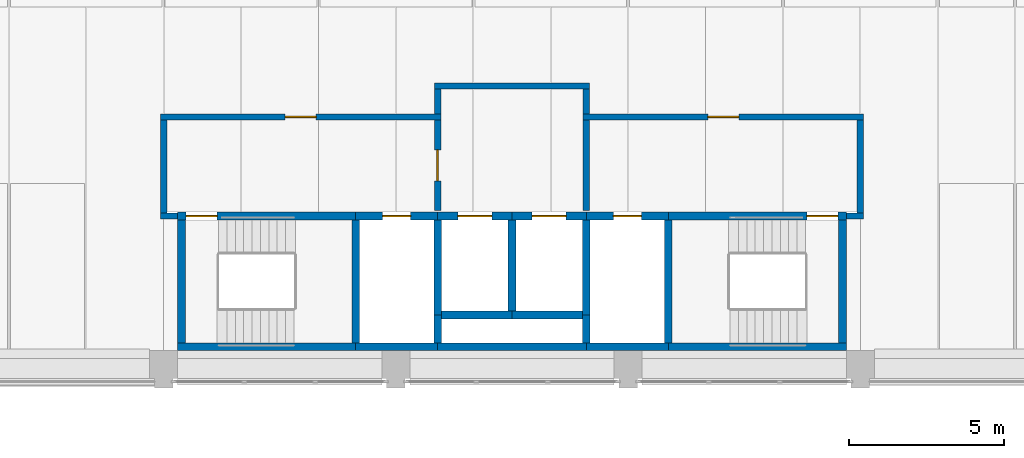
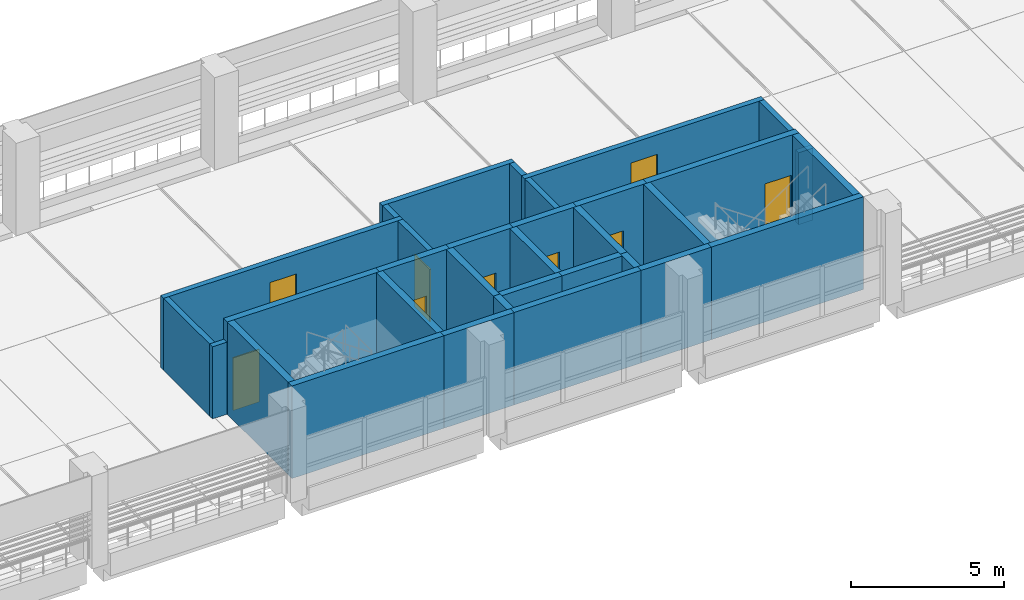
# One storey, part 30 of 57: 33 walls, 9 doors, 9 openings.
"""IFC4 building model written with IfcOpenShell, lengths in metres."""

from ifc_helpers import new_model, si_unit, direction, frame, frame_2d, origin, place, context, subcontext, project, spatial, rectangle, extrude, material, layer, layer_set, type_object, element, fill, save


model = new_model("IFC4")

# Units and contexts
model_context = context("Model", 3, precision=1e-05, world=origin(), true_north=direction((0.0, 1.0)))
body_context = subcontext(model_context, "Body", "Model", "MODEL_VIEW")
ifc_project = project(units=[si_unit("LENGTHUNIT", "METRE"), si_unit("AREAUNIT", "SQUARE_METRE"), si_unit("VOLUMEUNIT", "CUBIC_METRE"), si_unit("PLANEANGLEUNIT", "RADIAN"), si_unit("MASSUNIT", "GRAM", prefix="KILO")], contexts=[model_context])

# Site, building, storey
site_placement = place(None, origin())
site = spatial("IfcSite", under=ifc_project, at=site_placement, CompositionType="ELEMENT")
building_placement = place(site_placement, origin())
building = spatial("IfcBuilding", under=site, at=building_placement, Name="Cour d'Honneur Mobility Palace", CompositionType="ELEMENT")
storey_placement = place(building_placement, frame((0.0, 0.0, 8.199951171875)))
storey = spatial("IfcBuildingStorey", under=building, at=storey_placement, Name="L02", CompositionType="ELEMENT", Elevation=8.199951171875)

# Walls
ifc_material_1 = material(Name="Concrete C50", Category="concrete")
ifc_layer_1 = layer(ifc_material_1, 0.25)
ifc_layer_set_1 = layer_set([ifc_layer_1], Name="Concrete C50")
wall_type_1 = type_object("IfcWallType", Name="Lift shaft wall 250", PredefinedType="SHEAR", material=ifc_layer_set_1)
wall_1_placement = place(storey_placement, frame((78.875, 46.60009765625, 0.0), z_axis=(0.0, 0.0, 1.0), x_axis=(1.0, 0.0, 0.0)))
element("IfcWall", 1, at=wall_1_placement, inside=storey, type_object=wall_type_1, Name="Lift shaft wall WL-CC6 L02", PredefinedType="SHEAR", context=body_context, shape_type="SweptSolid", body=[
    extrude(rectangle(XDim=2.27490234375, YDim=0.25, at=frame_2d((1.137451171875, 0.0))), origin(), (0.0, 0.0, 1.0), 3.699951171875),
])
wall_2_placement = place(storey_placement, frame((81.14990234375, 46.60009765625, 0.0), z_axis=(0.0, 0.0, 1.0), x_axis=(1.0, 0.0, 0.0)))
element("IfcWall", 2, at=wall_2_placement, inside=storey, type_object=wall_type_1, Name="Lift shaft wall WL-CC7 L02", PredefinedType="SHEAR", context=body_context, shape_type="SweptSolid", body=[
    extrude(rectangle(XDim=2.275146484375, YDim=0.25, at=frame_2d((1.1376953125, 0.0))), origin(), (0.0, 0.0, 1.0), 3.699951171875),
])

# Wall, opening, door
wall_3_placement = place(storey_placement, frame((78.75, 49.800048828125, 0.0), z_axis=(0.0, 0.0, 1.0), x_axis=(1.0, 0.0, 0.0)))
wall_3 = element("IfcWall", 3, at=wall_3_placement, inside=storey, type_object=wall_type_1, Name="Lift shaft wall WL-CC10 L02", PredefinedType="SHEAR", context=body_context, shape_type="SweptSolid", body=[
    extrude(rectangle(XDim=2.39990234375, YDim=0.25, at=frame_2d((1.199951171875, 0.0))), origin(), (0.0, 0.0, 1.0), 3.699951171875),
])
opening_1_placement = place(wall_3_placement, frame((0.64990234375, 0.0, 0.0)))
opening_1 = element("IfcOpeningElement", 4, at=opening_1_placement, cuts=wall_3, Name="Opening LD43", PredefinedType="OPENING", context=body_context, shape_type="SweptSolid", body=[
    extrude(rectangle(XDim=1.10009765625, YDim=2.10009765625, at=frame_2d((0.550048828125, 1.050048828125))), frame((0.0, 0.135009765625, 0.0), z_axis=(0.0, -1.0, 0.0), x_axis=(1.0, 0.0, 0.0)), (0.0, 0.0, 1.0), 0.27001953125),
])
ifc_material_2 = material(Name="Stainless steel", Category="steel")
door_type_1 = type_object("IfcDoorType", Name="Landing door 1100 x 2100", OperationType="SLIDING_TO_LEFT", PredefinedType="DOOR", material=ifc_material_2)
door_1_placement = place(opening_1_placement, origin())
door_1 = element("IfcDoor", 5, at=door_1_placement, inside=storey, type_object=door_type_1, Name="Landing door LF-CC1 L02", OperationType="SLIDING_TO_LEFT", OverallHeight=2.10009765625, OverallWidth=1.10009765625, PredefinedType="DOOR", context=body_context, shape_type="SweptSolid", body=[
    extrude(rectangle(XDim=1.10009765625, YDim=2.10009765625, at=frame_2d((0.550048828125, 1.050048828125))), frame((0.0, 0.02490234375, 0.0), z_axis=(0.0, -1.0, 0.0), x_axis=(1.0, 0.0, 0.0)), (0.0, 0.0, 1.0), 0.050048828125),
])
fill(opening_1, door_1)

wall_4_placement = place(storey_placement, frame((81.14990234375, 49.800048828125, 0.0), z_axis=(0.0, 0.0, 1.0), x_axis=(1.0, 0.0, 0.0)))
wall_4 = element("IfcWall", 6, at=wall_4_placement, inside=storey, type_object=wall_type_1, Name="Lift shaft wall WL-CC11 L02", PredefinedType="SHEAR", context=body_context, shape_type="SweptSolid", body=[
    extrude(rectangle(XDim=2.400146484375, YDim=0.25, at=frame_2d((1.2001953125, 0.0))), origin(), (0.0, 0.0, 1.0), 3.699951171875),
])
opening_2_placement = place(wall_4_placement, frame((0.64990234375, 0.0, 0.0)))
opening_2 = element("IfcOpeningElement", 7, at=opening_2_placement, cuts=wall_4, Name="Opening LD49", PredefinedType="OPENING", context=body_context, shape_type="SweptSolid", body=[
    extrude(rectangle(XDim=1.10009765625, YDim=2.10009765625, at=frame_2d((0.550048828125, 1.050048828125))), frame((0.0, 0.135009765625, 0.0), z_axis=(0.0, -1.0, 0.0), x_axis=(1.0, 0.0, 0.0)), (0.0, 0.0, 1.0), 0.27001953125),
])
door_2_placement = place(opening_2_placement, origin())
door_2 = element("IfcDoor", 8, at=door_2_placement, inside=storey, type_object=door_type_1, Name="Landing door LF-CC2 L02", OperationType="SLIDING_TO_LEFT", OverallHeight=2.10009765625, OverallWidth=1.10009765625, PredefinedType="DOOR", context=body_context, shape_type="SweptSolid", body=[
    extrude(rectangle(XDim=1.10009765625, YDim=2.10009765625, at=frame_2d((0.550048828125, 1.050048828125))), frame((0.0, 0.02490234375, 0.0), z_axis=(0.0, -1.0, 0.0), x_axis=(1.0, 0.0, 0.0)), (0.0, 0.0, 1.0), 0.050048828125),
])
fill(opening_2, door_2)

# Walls
wall_5_placement = place(storey_placement, frame((78.75, 46.60009765625, 0.0), z_axis=(0.0, 0.0, 1.0), x_axis=(0.0, 1.0, 0.0)))
element("IfcWall", 9, at=wall_5_placement, inside=storey, type_object=wall_type_1, Name="Lift shaft wall WL-CC17 L02", PredefinedType="SHEAR", context=body_context, shape_type="SweptSolid", body=[
    extrude(rectangle(XDim=3.074951171875, YDim=0.25, at=frame_2d((1.53759765625, 0.0))), origin(), (0.0, 0.0, 1.0), 3.699951171875),
])
wall_6_placement = place(storey_placement, frame((81.14990234375, 46.72509765625, 0.0), z_axis=(0.0, 0.0, 1.0), x_axis=(0.0, 1.0, 0.0)))
element("IfcWall", 10, at=wall_6_placement, inside=storey, type_object=wall_type_1, Name="Lift shaft wall WL-CC18 L02", PredefinedType="SHEAR", context=body_context, shape_type="SweptSolid", body=[
    extrude(rectangle(XDim=2.949951171875, YDim=0.25, at=frame_2d((1.47509765625, 0.0))), origin(), (0.0, 0.0, 1.0), 3.699951171875),
])
wall_7_placement = place(storey_placement, frame((83.550048828125, 46.60009765625, 0.0), z_axis=(0.0, 0.0, 1.0), x_axis=(0.0, 1.0, 0.0)))
element("IfcWall", 11, at=wall_7_placement, inside=storey, type_object=wall_type_1, Name="Lift shaft wall WL-CC20 L02", PredefinedType="SHEAR", context=body_context, shape_type="SweptSolid", body=[
    extrude(rectangle(XDim=3.074951171875, YDim=0.25, at=frame_2d((1.53759765625, 0.0))), origin(), (0.0, 0.0, 1.0), 3.699951171875),
])
ifc_material_3 = material(Name="Gypsum plasterboard")
ifc_layer_2 = layer(ifc_material_3, 0.199951171875)
ifc_layer_set_2 = layer_set([ifc_layer_2], Name="Gypsum plasterboard")
wall_type_2 = type_object("IfcWallType", Name="Partition 200 rated EI 120", PredefinedType="PARTITIONING", material=ifc_layer_set_2)
for number, where, z_axis, x_axis, name in (
    (12, (69.800048828125, 49.800048828125, 0.0), (0.0, 0.0, 1.0), (1.0, 0.0, 0.0), "Partition 019"),
    (13, (91.949951171875, 49.800048828125, 0.0), (0.0, 0.0, 1.0), (1.0, 0.0, 0.0), "Partition 020"),
):
    element("IfcWall", number, at=place(storey_placement, frame(where, z_axis=z_axis, x_axis=x_axis)), inside=storey, type_object=wall_type_2, Name=name, PredefinedType="PARTITIONING", context=body_context, shape_type="SweptSolid", body=[
        extrude(rectangle(XDim=0.550048828125, YDim=0.199951171875, at=frame_2d((0.27490234375, 0.0))), origin(), (0.0, 0.0, 1.0), 2.880126953125),
    ])
wall_8_placement = place(storey_placement, frame((92.39990234375, 49.89990234375, 0.0), z_axis=(0.0, 0.0, 1.0), x_axis=(0.0, 1.0, 0.0)))
element("IfcWall", 14, at=wall_8_placement, inside=storey, type_object=wall_type_2, Name="Partition 021", PredefinedType="PARTITIONING", context=body_context, shape_type="SweptSolid", body=[
    extrude(rectangle(XDim=3.0, YDim=0.199951171875, at=frame_2d((1.5, 0.0))), origin(), (0.0, 0.0, 1.0), 2.880126953125),
])

# Wall, opening, door
wall_9_placement = place(storey_placement, frame((78.75, 49.97509765625, 0.0), z_axis=(0.0, 0.0, 1.0), x_axis=(0.0, 1.0, 0.0)))
wall_9 = element("IfcWall", 15, at=wall_9_placement, inside=storey, type_object=wall_type_2, Name="Partition 022", PredefinedType="PARTITIONING", context=body_context, shape_type="SweptSolid", body=[
    extrude(rectangle(XDim=2.9248046875, YDim=0.199951171875, at=frame_2d((1.46240234375, 0.0))), origin(), (0.0, 0.0, 1.0), 2.880126953125),
])
opening_3_placement = place(wall_9_placement, frame((0.96240234375, 0.0, 0.0)))
opening_3 = element("IfcOpeningElement", 16, at=opening_3_placement, cuts=wall_9, Name="Opening D0205", PredefinedType="OPENING", context=body_context, shape_type="SweptSolid", body=[
    extrude(rectangle(XDim=1.0, YDim=2.10009765625, at=frame_2d((0.5, 1.050048828125))), frame((0.0, 0.10986328125, 0.0), z_axis=(0.0, -1.0, 0.0), x_axis=(1.0, 0.0, 0.0)), (0.0, 0.0, 1.0), 0.219970703125),
])
ifc_material_4 = material(Name="Galvanised steel", Category="steel")
door_type_2 = type_object("IfcDoorType", Name="Fire door FD120 1000 x 2100", OperationType="SINGLE_SWING_LEFT", PredefinedType="DOOR", material=ifc_material_4)
door_3_placement = place(opening_3_placement, origin())
door_3 = element("IfcDoor", 17, at=door_3_placement, inside=storey, type_object=door_type_2, Name="Door Lift Lobby CC", OperationType="SINGLE_SWING_RIGHT", OverallHeight=2.10009765625, OverallWidth=1.0, PredefinedType="DOOR", context=body_context, shape_type="SweptSolid", body=[
    extrude(rectangle(XDim=1.0, YDim=2.10009765625, at=frame_2d((0.5, 1.050048828125))), frame((0.0, 0.02490234375, 0.0), z_axis=(0.0, -1.0, 0.0), x_axis=(1.0, 0.0, 0.0)), (0.0, 0.0, 1.0), 0.050048828125),
])
fill(opening_3, door_3)

# Walls
wall_10_placement = place(storey_placement, frame((83.550048828125, 49.97509765625, 0.0), z_axis=(0.0, 0.0, 1.0), x_axis=(0.0, 1.0, 0.0)))
element("IfcWall", 18, at=wall_10_placement, inside=storey, type_object=wall_type_2, Name="Partition 023", PredefinedType="PARTITIONING", context=body_context, shape_type="SweptSolid", body=[
    extrude(rectangle(XDim=2.9248046875, YDim=0.199951171875, at=frame_2d((1.46240234375, 0.0))), origin(), (0.0, 0.0, 1.0), 2.880126953125),
])
wall_11_placement = place(storey_placement, frame((69.89990234375, 52.89990234375, 0.0), z_axis=(0.0, 0.0, 1.0), x_axis=(0.0, -1.0, 0.0)))
element("IfcWall", 19, at=wall_11_placement, inside=storey, type_object=wall_type_2, Name="Partition 031", PredefinedType="PARTITIONING", context=body_context, shape_type="SweptSolid", body=[
    extrude(rectangle(XDim=3.0, YDim=0.199951171875, at=frame_2d((1.5, 0.0))), origin(), (0.0, 0.0, 1.0), 2.880126953125),
])

# Wall, opening, door
wall_12_placement = place(storey_placement, frame((78.85009765625, 53.0, 0.0), z_axis=(0.0, 0.0, 1.0), x_axis=(-1.0, 0.0, 0.0)))
wall_12 = element("IfcWall", 20, at=wall_12_placement, inside=storey, type_object=wall_type_2, Name="Partition 032", PredefinedType="PARTITIONING", context=body_context, shape_type="SweptSolid", body=[
    extrude(rectangle(XDim=9.050048828125, YDim=0.199951171875, at=frame_2d((4.52490234375, 0.0))), origin(), (0.0, 0.0, 1.0), 2.880126953125),
])
opening_4_placement = place(wall_12_placement, frame((4.02490234375, 0.0, 0.0)))
opening_4 = element("IfcOpeningElement", 21, at=opening_4_placement, cuts=wall_12, Name="Opening D0204", PredefinedType="OPENING", context=body_context, shape_type="SweptSolid", body=[
    extrude(rectangle(XDim=1.0, YDim=2.10009765625, at=frame_2d((0.5, 1.050048828125))), frame((0.0, 0.10986328125, 0.0), z_axis=(0.0, -1.0, 0.0), x_axis=(1.0, 0.0, 0.0)), (0.0, 0.0, 1.0), 0.219970703125),
])
door_4_placement = place(opening_4_placement, origin())
door_4 = element("IfcDoor", 22, at=door_4_placement, inside=storey, type_object=door_type_2, Name="Door Stair Lobby CC West", OperationType="SINGLE_SWING_LEFT", OverallHeight=2.10009765625, OverallWidth=1.0, PredefinedType="DOOR", context=body_context, shape_type="SweptSolid", body=[
    extrude(rectangle(XDim=1.0, YDim=2.10009765625, at=frame_2d((0.5, 1.050048828125))), frame((0.0, 0.02490234375, 0.0), z_axis=(0.0, -1.0, 0.0), x_axis=(1.0, 0.0, 0.0)), (0.0, 0.0, 1.0), 0.050048828125),
])
fill(opening_4, door_4)

# Wall
wall_13_placement = place(storey_placement, frame((83.550048828125, 53.10009765625, 0.0), z_axis=(0.0, 0.0, 1.0), x_axis=(0.0, 1.0, 0.0)))
element("IfcWall", 23, at=wall_13_placement, inside=storey, type_object=wall_type_2, Name="Partition 033", PredefinedType="PARTITIONING", context=body_context, shape_type="SweptSolid", body=[
    extrude(rectangle(XDim=0.7998046875, YDim=0.199951171875, at=frame_2d((0.39990234375, 0.0))), origin(), (0.0, 0.0, 1.0), 2.880126953125),
])

# Wall, opening, door
wall_14_placement = place(storey_placement, frame((92.5, 53.0, 0.0), z_axis=(0.0, 0.0, 1.0), x_axis=(-1.0, 0.0, 0.0)))
wall_14 = element("IfcWall", 24, at=wall_14_placement, inside=storey, type_object=wall_type_2, Name="Partition 034", PredefinedType="PARTITIONING", context=body_context, shape_type="SweptSolid", body=[
    extrude(rectangle(XDim=9.050048828125, YDim=0.199951171875, at=frame_2d((4.52490234375, 0.0))), origin(), (0.0, 0.0, 1.0), 2.880126953125),
])
opening_5_placement = place(wall_14_placement, frame((4.02490234375, 0.0, 0.0)))
opening_5 = element("IfcOpeningElement", 25, at=opening_5_placement, cuts=wall_14, Name="Opening D0206", PredefinedType="OPENING", context=body_context, shape_type="SweptSolid", body=[
    extrude(rectangle(XDim=1.0, YDim=2.10009765625, at=frame_2d((0.5, 1.050048828125))), frame((0.0, 0.10986328125, 0.0), z_axis=(0.0, -1.0, 0.0), x_axis=(1.0, 0.0, 0.0)), (0.0, 0.0, 1.0), 0.219970703125),
])
door_5_placement = place(opening_5_placement, origin())
door_5 = element("IfcDoor", 26, at=door_5_placement, inside=storey, type_object=door_type_2, Name="Door Stair Lobby CC East", OperationType="SINGLE_SWING_RIGHT", OverallHeight=2.10009765625, OverallWidth=1.0, PredefinedType="DOOR", context=body_context, shape_type="SweptSolid", body=[
    extrude(rectangle(XDim=1.0, YDim=2.10009765625, at=frame_2d((0.5, 1.050048828125))), frame((0.0, 0.02490234375, 0.0), z_axis=(0.0, -1.0, 0.0), x_axis=(1.0, 0.0, 0.0)), (0.0, 0.0, 1.0), 0.050048828125),
])
fill(opening_5, door_5)

# Walls
wall_15_placement = place(storey_placement, frame((78.75, 53.89990234375, 0.0), z_axis=(0.0, 0.0, 1.0), x_axis=(0.0, -1.0, 0.0)))
element("IfcWall", 27, at=wall_15_placement, inside=storey, type_object=wall_type_2, Name="Partition 035", PredefinedType="PARTITIONING", context=body_context, shape_type="SweptSolid", body=[
    extrude(rectangle(XDim=0.7998046875, YDim=0.199951171875, at=frame_2d((0.39990234375, 0.0))), origin(), (0.0, 0.0, 1.0), 2.880126953125),
])
wall_16_placement = place(storey_placement, frame((83.64990234375, 54.0, 0.0), z_axis=(0.0, 0.0, 1.0), x_axis=(-1.0, 0.0, 0.0)))
element("IfcWall", 28, at=wall_16_placement, inside=storey, type_object=wall_type_2, Name="Partition 036", PredefinedType="PARTITIONING", context=body_context, shape_type="SweptSolid", body=[
    extrude(rectangle(XDim=5.0, YDim=0.199951171875, at=frame_2d((2.5, 0.0))), origin(), (0.0, 0.0, 1.0), 2.880126953125),
])
ifc_material_5 = material(Name="Concrete C50", Category="concrete")
ifc_layer_3 = layer(ifc_material_5, 0.25)
ifc_layer_set_3 = layer_set([ifc_layer_3], Name="Concrete C50")
wall_type_3 = type_object("IfcWallType", Name="Shaft wall 250", PredefinedType="SHEAR", material=ifc_layer_set_3)
wall_17_placement = place(storey_placement, frame((76.10009765625, 45.574951171875, 0.0), z_axis=(0.0, 0.0, 1.0), x_axis=(1.0, 0.0, 0.0)))
element("IfcWall", 29, at=wall_17_placement, inside=storey, type_object=wall_type_3, Name="Shaft wall WR-CC2 L02", PredefinedType="SHEAR", context=body_context, shape_type="SweptSolid", body=[
    extrude(rectangle(XDim=2.64990234375, YDim=0.25, at=frame_2d((1.324951171875, 0.0))), origin(), (0.0, 0.0, 1.0), 3.699951171875),
])
wall_18_placement = place(storey_placement, frame((78.75, 45.574951171875, 0.0), z_axis=(0.0, 0.0, 1.0), x_axis=(1.0, 0.0, 0.0)))
element("IfcWall", 30, at=wall_18_placement, inside=storey, type_object=wall_type_3, Name="Shaft wall WR-CC3 L02", PredefinedType="SHEAR", context=body_context, shape_type="SweptSolid", body=[
    extrude(rectangle(XDim=4.800048828125, YDim=0.25, at=frame_2d((2.39990234375, 0.0))), origin(), (0.0, 0.0, 1.0), 3.699951171875),
])
wall_19_placement = place(storey_placement, frame((83.550048828125, 45.574951171875, 0.0), z_axis=(0.0, 0.0, 1.0), x_axis=(1.0, 0.0, 0.0)))
element("IfcWall", 31, at=wall_19_placement, inside=storey, type_object=wall_type_3, Name="Shaft wall WR-CC4 L02", PredefinedType="SHEAR", context=body_context, shape_type="SweptSolid", body=[
    extrude(rectangle(XDim=2.64990234375, YDim=0.25, at=frame_2d((1.324951171875, 0.0))), origin(), (0.0, 0.0, 1.0), 3.699951171875),
])

# Wall, opening, door
wall_20_placement = place(storey_placement, frame((76.10009765625, 49.800048828125, 0.0), z_axis=(0.0, 0.0, 1.0), x_axis=(1.0, 0.0, 0.0)))
wall_20 = element("IfcWall", 32, at=wall_20_placement, inside=storey, type_object=wall_type_3, Name="Shaft wall WR-CC9 L02", PredefinedType="SHEAR", context=body_context, shape_type="SweptSolid", body=[
    extrude(rectangle(XDim=2.64990234375, YDim=0.25, at=frame_2d((1.324951171875, 0.0))), origin(), (0.0, 0.0, 1.0), 3.699951171875),
])
opening_6_placement = place(wall_20_placement, frame((0.875, 0.0, 0.0)))
opening_6 = element("IfcOpeningElement", 33, at=opening_6_placement, cuts=wall_20, Name="Opening R3", PredefinedType="OPENING", context=body_context, shape_type="SweptSolid", body=[
    extrude(rectangle(XDim=0.89990234375, YDim=2.10009765625, at=frame_2d((0.449951171875, 1.050048828125))), frame((0.0, 0.135009765625, 0.0), z_axis=(0.0, -1.0, 0.0), x_axis=(1.0, 0.0, 0.0)), (0.0, 0.0, 1.0), 0.27001953125),
])
ifc_material_6 = material(Name="Galvanised steel", Category="steel")
door_type_3 = type_object("IfcDoorType", Name="Riser door FD120 900 x 2100", OperationType="SINGLE_SWING_LEFT", PredefinedType="DOOR", material=ifc_material_6)
door_6_placement = place(opening_6_placement, origin())
door_6 = element("IfcDoor", 34, at=door_6_placement, inside=storey, type_object=door_type_3, Name="Riser door CC.R1 L02", OperationType="SINGLE_SWING_LEFT", OverallHeight=2.10009765625, OverallWidth=0.89990234375, PredefinedType="DOOR", context=body_context, shape_type="SweptSolid", body=[
    extrude(rectangle(XDim=0.89990234375, YDim=2.10009765625, at=frame_2d((0.449951171875, 1.050048828125))), frame((0.0, 0.02490234375, 0.0), z_axis=(0.0, -1.0, 0.0), x_axis=(1.0, 0.0, 0.0)), (0.0, 0.0, 1.0), 0.050048828125),
])
fill(opening_6, door_6)

wall_21_placement = place(storey_placement, frame((83.550048828125, 49.800048828125, 0.0), z_axis=(0.0, 0.0, 1.0), x_axis=(1.0, 0.0, 0.0)))
wall_21 = element("IfcWall", 35, at=wall_21_placement, inside=storey, type_object=wall_type_3, Name="Shaft wall WR-CC12 L02", PredefinedType="SHEAR", context=body_context, shape_type="SweptSolid", body=[
    extrude(rectangle(XDim=2.64990234375, YDim=0.25, at=frame_2d((1.324951171875, 0.0))), origin(), (0.0, 0.0, 1.0), 3.699951171875),
])
opening_7_placement = place(wall_21_placement, frame((0.875, 0.0, 0.0)))
opening_7 = element("IfcOpeningElement", 36, at=opening_7_placement, cuts=wall_21, Name="Opening R9", PredefinedType="OPENING", context=body_context, shape_type="SweptSolid", body=[
    extrude(rectangle(XDim=0.89990234375, YDim=2.10009765625, at=frame_2d((0.449951171875, 1.050048828125))), frame((0.0, 0.135009765625, 0.0), z_axis=(0.0, -1.0, 0.0), x_axis=(1.0, 0.0, 0.0)), (0.0, 0.0, 1.0), 0.27001953125),
])
door_7_placement = place(opening_7_placement, origin())
door_7 = element("IfcDoor", 37, at=door_7_placement, inside=storey, type_object=door_type_3, Name="Riser door CC.R2 L02", OperationType="SINGLE_SWING_LEFT", OverallHeight=2.10009765625, OverallWidth=0.89990234375, PredefinedType="DOOR", context=body_context, shape_type="SweptSolid", body=[
    extrude(rectangle(XDim=0.89990234375, YDim=2.10009765625, at=frame_2d((0.449951171875, 1.050048828125))), frame((0.0, 0.02490234375, 0.0), z_axis=(0.0, -1.0, 0.0), x_axis=(1.0, 0.0, 0.0)), (0.0, 0.0, 1.0), 0.050048828125),
])
fill(opening_7, door_7)

# Walls
for number, where, z_axis, x_axis, name in (
    (38, (78.75, 45.699951171875, 0.0), (0.0, 0.0, 1.0), (0.0, 1.0, 0.0), "Shaft wall WR-CC16 L02"),
    (39, (83.550048828125, 45.699951171875, 0.0), (0.0, 0.0, 1.0), (0.0, 1.0, 0.0), "Shaft wall WR-CC19 L02"),
):
    element("IfcWall", number, at=place(storey_placement, frame(where, z_axis=z_axis, x_axis=x_axis)), inside=storey, type_object=wall_type_3, Name=name, PredefinedType="SHEAR", context=body_context, shape_type="SweptSolid", body=[
        extrude(rectangle(XDim=0.900146484375, YDim=0.25, at=frame_2d((0.4501953125, 0.0))), origin(), (0.0, 0.0, 1.0), 3.699951171875),
    ])
ifc_material_7 = material(Name="Concrete C50", Category="concrete")
ifc_layer_4 = layer(ifc_material_7, 0.25)
ifc_layer_set_4 = layer_set([ifc_layer_4], Name="Concrete C50")
wall_type_4 = type_object("IfcWallType", Name="Stair wall 250", PredefinedType="SHEAR", material=ifc_layer_set_4)
for number, where, z_axis, x_axis, name in (
    (40, (70.35009765625, 45.574951171875, 0.0), (0.0, 0.0, 1.0), (1.0, 0.0, 0.0), "Stair wall WS-CC1 L02"),
    (41, (86.199951171875, 45.574951171875, 0.0), (0.0, 0.0, 1.0), (1.0, 0.0, 0.0), "Stair wall WS-CC5 L02"),
):
    element("IfcWall", number, at=place(storey_placement, frame(where, z_axis=z_axis, x_axis=x_axis)), inside=storey, type_object=wall_type_4, Name=name, PredefinedType="SHEAR", context=body_context, shape_type="SweptSolid", body=[
        extrude(rectangle(XDim=5.75, YDim=0.25, at=frame_2d((2.875, 0.0))), origin(), (0.0, 0.0, 1.0), 3.699951171875),
    ])

# Wall, opening, door
wall_22_placement = place(storey_placement, frame((70.35009765625, 49.800048828125, 0.0), z_axis=(0.0, 0.0, 1.0), x_axis=(1.0, 0.0, 0.0)))
wall_22 = element("IfcWall", 42, at=wall_22_placement, inside=storey, type_object=wall_type_4, Name="Stair wall WS-CC8 L02", PredefinedType="SHEAR", context=body_context, shape_type="SweptSolid", body=[
    extrude(rectangle(XDim=5.75, YDim=0.25, at=frame_2d((2.875, 0.0))), origin(), (0.0, 0.0, 1.0), 3.699951171875),
])
opening_8_placement = place(wall_22_placement, frame((0.27490234375, 0.0, 0.0)))
opening_8 = element("IfcOpeningElement", 43, at=opening_8_placement, cuts=wall_22, Name="Opening S87", PredefinedType="OPENING", context=body_context, shape_type="SweptSolid", body=[
    extrude(rectangle(XDim=1.0, YDim=2.10009765625, at=frame_2d((0.5, 1.050048828125))), frame((0.0, 0.135009765625, 0.0), z_axis=(0.0, -1.0, 0.0), x_axis=(1.0, 0.0, 0.0)), (0.0, 0.0, 1.0), 0.27001953125),
])
ifc_material_8 = material(Name="Galvanised steel", Category="steel")
door_type_4 = type_object("IfcDoorType", Name="Fire door FD120 stair 1000 x 2100", OperationType="SINGLE_SWING_LEFT", PredefinedType="DOOR", material=ifc_material_8)
door_8_placement = place(opening_8_placement, origin())
door_8 = element("IfcDoor", 44, at=door_8_placement, inside=storey, type_object=door_type_4, Name="Stair door ST-CC1 L02", OperationType="SINGLE_SWING_LEFT", OverallHeight=2.10009765625, OverallWidth=1.0, PredefinedType="DOOR", context=body_context, shape_type="SweptSolid", body=[
    extrude(rectangle(XDim=1.0, YDim=2.10009765625, at=frame_2d((0.5, 1.050048828125))), frame((0.0, 0.02490234375, 0.0), z_axis=(0.0, -1.0, 0.0), x_axis=(1.0, 0.0, 0.0)), (0.0, 0.0, 1.0), 0.050048828125),
])
fill(opening_8, door_8)

wall_23_placement = place(storey_placement, frame((86.199951171875, 49.800048828125, 0.0), z_axis=(0.0, 0.0, 1.0), x_axis=(1.0, 0.0, 0.0)))
wall_23 = element("IfcWall", 45, at=wall_23_placement, inside=storey, type_object=wall_type_4, Name="Stair wall WS-CC13 L02", PredefinedType="SHEAR", context=body_context, shape_type="SweptSolid", body=[
    extrude(rectangle(XDim=5.75, YDim=0.25, at=frame_2d((2.875, 0.0))), origin(), (0.0, 0.0, 1.0), 3.699951171875),
])
opening_9_placement = place(wall_23_placement, frame((4.47509765625, 0.0, 0.0)))
opening_9 = element("IfcOpeningElement", 46, at=opening_9_placement, cuts=wall_23, Name="Opening S93", PredefinedType="OPENING", context=body_context, shape_type="SweptSolid", body=[
    extrude(rectangle(XDim=1.0, YDim=2.10009765625, at=frame_2d((0.5, 1.050048828125))), frame((0.0, 0.135009765625, 0.0), z_axis=(0.0, -1.0, 0.0), x_axis=(1.0, 0.0, 0.0)), (0.0, 0.0, 1.0), 0.27001953125),
])
door_9_placement = place(opening_9_placement, origin())
door_9 = element("IfcDoor", 47, at=door_9_placement, inside=storey, type_object=door_type_4, Name="Stair door ST-CC2 L02", OperationType="SINGLE_SWING_RIGHT", OverallHeight=2.10009765625, OverallWidth=1.0, PredefinedType="DOOR", context=body_context, shape_type="SweptSolid", body=[
    extrude(rectangle(XDim=1.0, YDim=2.10009765625, at=frame_2d((0.5, 1.050048828125))), frame((0.0, 0.02490234375, 0.0), z_axis=(0.0, -1.0, 0.0), x_axis=(1.0, 0.0, 0.0)), (0.0, 0.0, 1.0), 0.050048828125),
])
fill(opening_9, door_9)

# Walls
for number, where, z_axis, x_axis, name in (
    (48, (70.47509765625, 45.699951171875, 0.0), (0.0, 0.0, 1.0), (0.0, 1.0, 0.0), "Stair wall WS-CC14 L02"),
    (49, (76.10009765625, 45.699951171875, 0.0), (0.0, 0.0, 1.0), (0.0, 1.0, 0.0), "Stair wall WS-CC15 L02"),
    (50, (86.199951171875, 45.699951171875, 0.0), (0.0, 0.0, 1.0), (0.0, 1.0, 0.0), "Stair wall WS-CC21 L02"),
    (51, (91.824951171875, 45.699951171875, 0.0), (0.0, 0.0, 1.0), (0.0, 1.0, 0.0), "Stair wall WS-CC22 L02"),
):
    element("IfcWall", number, at=place(storey_placement, frame(where, z_axis=z_axis, x_axis=x_axis)), inside=storey, type_object=wall_type_4, Name=name, PredefinedType="SHEAR", context=body_context, shape_type="SweptSolid", body=[
        extrude(rectangle(XDim=3.97509765625, YDim=0.25, at=frame_2d((1.987548828125, 0.0))), origin(), (0.0, 0.0, 1.0), 3.699951171875),
    ])

save(model, "model.ifc")
